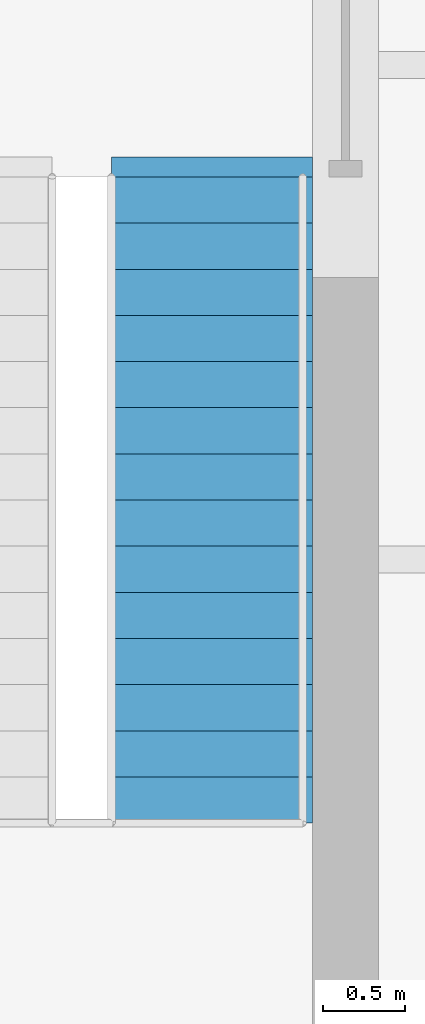
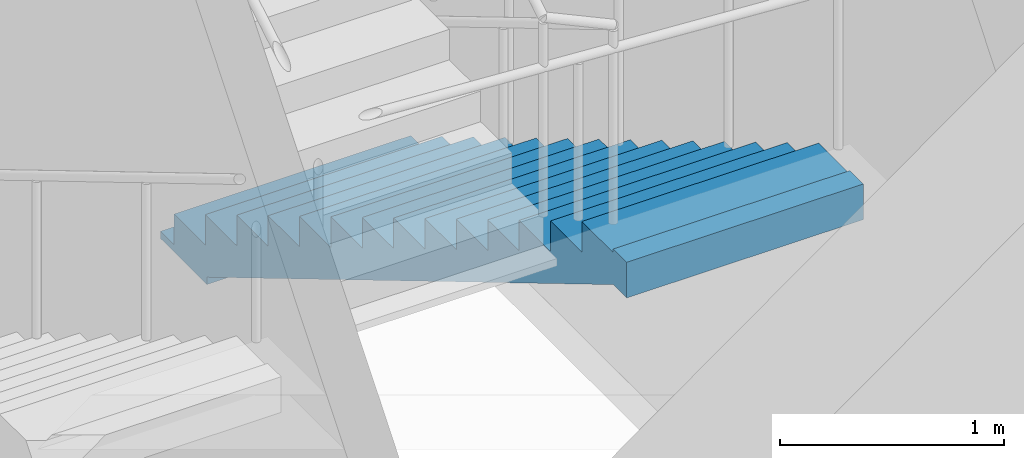
# One storey, part 11 of 12: 1 stair flight, 1 element without a shape of its own.
"""IFC4 building model written with IfcOpenShell, lengths in metres."""

from ifc_helpers import new_model, si_unit, direction, frame, origin, place, context, subcontext, project, spatial, polyline, outline, extrude, material, type_object, element, aggregate, save


model = new_model("IFC4")

# Units and contexts
model_context = context("Model", 3, precision=1e-05, world=origin(), true_north=direction((0.0, 1.0)))
body_context = subcontext(model_context, "Body", "Model", "MODEL_VIEW")
ifc_project = project(units=[si_unit("LENGTHUNIT", "METRE"), si_unit("AREAUNIT", "SQUARE_METRE"), si_unit("VOLUMEUNIT", "CUBIC_METRE"), si_unit("PLANEANGLEUNIT", "RADIAN"), si_unit("MASSUNIT", "GRAM", prefix="KILO")], contexts=[model_context])

# Site, building, storey
site_placement = place(None, origin())
site = spatial("IfcSite", under=ifc_project, at=site_placement, CompositionType="ELEMENT")
building_placement = place(site_placement, origin())
building = spatial("IfcBuilding", under=site, at=building_placement, Name="Millrace Tower", CompositionType="ELEMENT")
storey_placement = place(building_placement, frame((0.0, 0.0, 347.10009765625)))
storey = spatial("IfcBuildingStorey", under=building, at=storey_placement, Name="L80", CompositionType="ELEMENT", Elevation=347.10009765625)

# Stair, stair flight
ifc_material_1 = material(Name="Concrete C35", Category="concrete")
stair_type = type_object("IfcStairType", Name="Exit stair", PredefinedType="HALF_TURN_STAIR", material=ifc_material_1)
stair_placement = place(storey_placement, origin())
stair = element("IfcStair", 1, at=stair_placement, inside=storey, type_object=stair_type, Name="Stair 1 E L80", PredefinedType="HALF_TURN_STAIR")
ifc_material_2 = material(Name="Concrete C35", Category="concrete")
stair_flight_type = type_object("IfcStairFlightType", Name="Exit stair flight", PredefinedType="STRAIGHT", material=ifc_material_2)
stair_flight_placement = place(storey_placement, frame((13.2900390625, -3.679931640625, 0.0), z_axis=(0.0, 0.0, 1.0), x_axis=(0.0, -1.0, 0.0)))
stair_flight = element("IfcStairFlight", 2, at=stair_flight_placement, type_object=stair_flight_type, Name="ST12 flight 1", NumberOfRisers=15, NumberOfTreads=14, PredefinedType="STRAIGHT", RiserHeight=0.166666667, TreadLength=0.28, context=body_context, shape_type="SweptSolid", body=[
    extrude(outline(polyline([(-0.1201171875, -0.0400390625), (-0.1201171875, 0.0), (0.0, 0.0), (0.0, 0.166748046875), (0.280029296875, 0.166748046875), (0.280029296875, 0.333251953125), (0.56005859375, 0.333251953125), (0.56005859375, 0.5), (0.840087890625, 0.5), (0.840087890625, 0.666748046875), (1.1201171875, 0.666748046875), (1.1201171875, 0.833251953125), (1.39990234375, 0.833251953125), (1.39990234375, 1.0), (1.679931640625, 1.0), (1.679931640625, 1.166748046875), (1.9599609375, 1.166748046875), (1.9599609375, 1.333251953125), (2.239990234375, 1.333251953125), (2.239990234375, 1.5), (2.52001953125, 1.5), (2.52001953125, 1.666748046875), (2.800048828125, 1.666748046875), (2.800048828125, 1.833251953125), (3.080078125, 1.833251953125), (3.080078125, 2.0), (3.360107421875, 2.0), (3.360107421875, 2.166748046875), (3.639892578125, 2.166748046875), (3.639892578125, 2.333251953125), (3.919921875, 2.333251953125), (3.919921875, 2.353271484375), (4.0400390625, 2.353271484375), (4.0400390625, 2.158935546875), (3.919921875, 2.158935546875), (0.29296875, 0.0), (0.29296875, -0.0400390625), (-0.1201171875, -0.0400390625)])), frame((0.0, 0.60986328125, 0.0), z_axis=(0.0, -1.0, 0.0), x_axis=(1.0, 0.0, 0.0)), (0.0, 0.0, 1.0), 1.219970703125),
])
aggregate(stair, [stair_flight])

save(model, "model.ifc")
